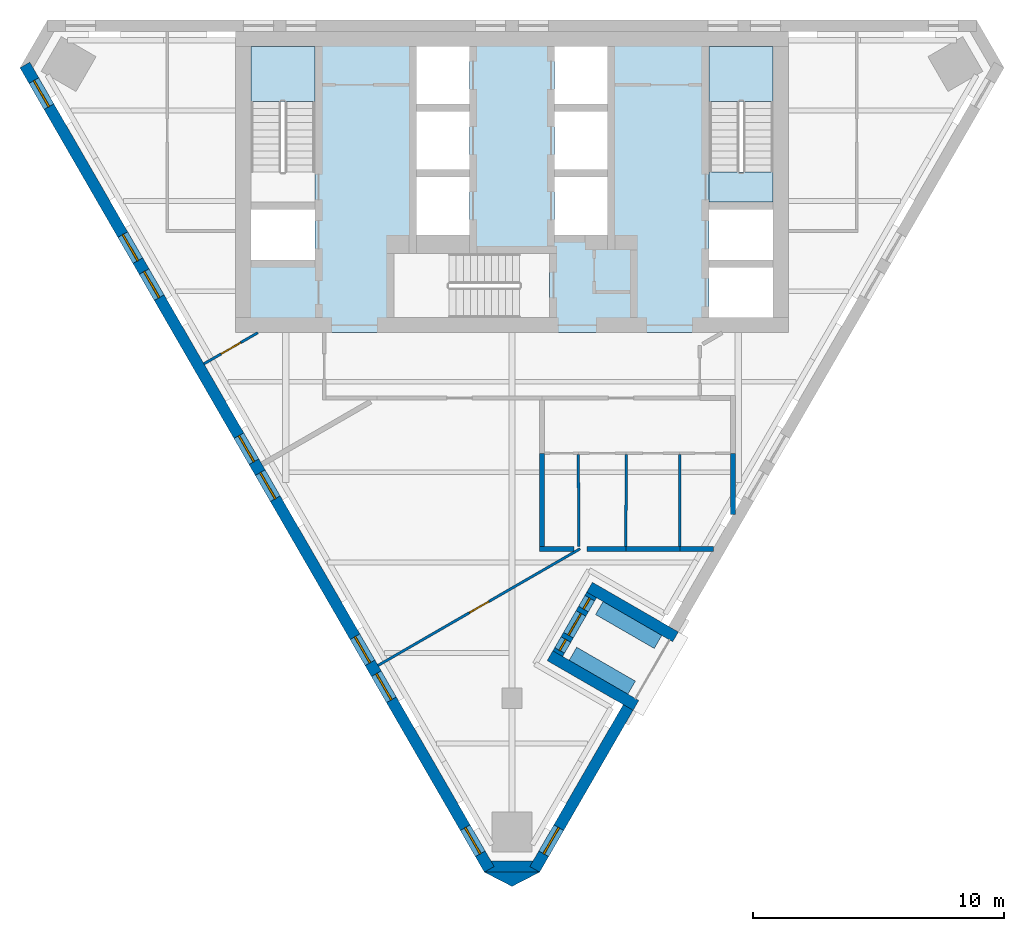
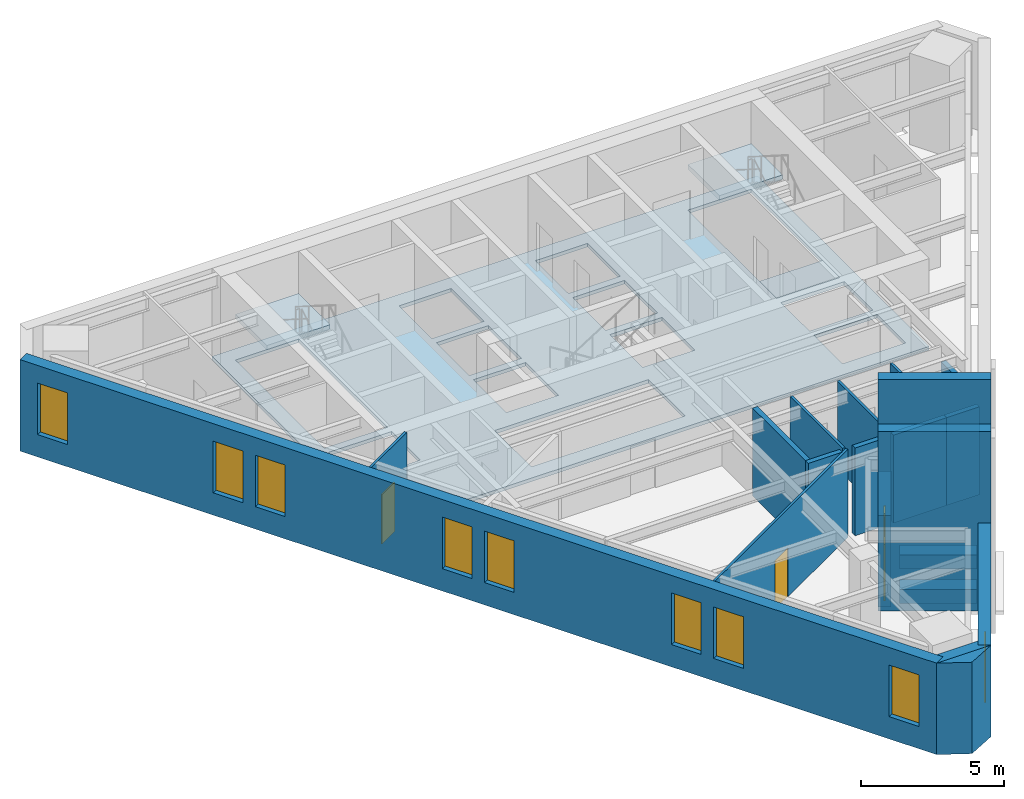
# One storey, part 2 of 6: 20 walls, 11 windows, 4 slabs, 3 doors, 14 openings, 2 elements without a shape of their own.
"""IFC4 building model written with IfcOpenShell, lengths in metres."""

from ifc_helpers import new_model, si_unit, direction, frame, frame_2d, origin, place, context, subcontext, project, spatial, polyline, rectangle, outline, extrude, material, layer, layer_set, type_object, element, fill, aggregate, save


model = new_model("IFC4")

# Units and contexts
model_context = context("Model", 3, precision=1e-05, world=origin(), true_north=direction((0.0, 1.0)))
body_context = subcontext(model_context, "Body", "Model", "MODEL_VIEW")
ifc_project = project(units=[si_unit("LENGTHUNIT", "METRE"), si_unit("AREAUNIT", "SQUARE_METRE"), si_unit("VOLUMEUNIT", "CUBIC_METRE"), si_unit("PLANEANGLEUNIT", "RADIAN"), si_unit("MASSUNIT", "GRAM", prefix="KILO")], contexts=[model_context])

# Site, building, storey
site_placement = place(None, origin())
site = spatial("IfcSite", under=ifc_project, at=site_placement, CompositionType="ELEMENT")
building_placement = place(site_placement, origin())
building = spatial("IfcBuilding", under=site, at=building_placement, Name="Aloe Facet Convention Tower", CompositionType="ELEMENT")
storey_placement = place(building_placement, frame((0.0, 0.0, 273.800048828125)))
storey = spatial("IfcBuildingStorey", under=building, at=storey_placement, Name="L67", CompositionType="ELEMENT", Elevation=273.800048828125)

# Slabs
ifc_material_1 = material(Name="Concrete C50/60", Category="concrete")
ifc_layer_1 = layer(ifc_material_1, 0.14990234375)
ifc_layer_set_1 = layer_set([ifc_layer_1], Name="CR-S-FLOOR150-C5060")
slab_type_1 = type_object("IfcSlabType", Name="CR-S-FLOOR150-C5060", PredefinedType="FLOOR", material=ifc_layer_set_1)
slab_1_placement = place(storey_placement, frame((0.0, 0.0, -0.150146484375)))
element("IfcSlab", 1, at=slab_1_placement, inside=storey, type_object=slab_type_1, Name="Core floor L67", PredefinedType="FLOOR", context=body_context, shape_type="SweptSolid", body=[
    extrude(outline(polyline([(71.85009765625, 134.550048828125), (72.75, 134.550048828125), (75.60009765625, 134.550048828125), (76.5, 134.550048828125), (78.0, 134.550048828125), (78.89990234375, 134.550048828125), (81.10009765625, 134.550048828125), (82.0, 134.550048828125), (83.5, 134.550048828125), (84.39990234375, 134.550048828125), (87.25, 134.550048828125), (88.14990234375, 134.550048828125), (91.0, 134.550048828125), (91.0, 128.050048828125), (91.0, 127.14990234375), (91.0, 125.75), (91.0, 124.85009765625), (91.0, 122.550048828125), (88.14990234375, 122.550048828125), (87.25, 122.550048828125), (85.300048828125, 122.550048828125), (84.39990234375, 122.550048828125), (82.10009765625, 122.550048828125), (81.199951171875, 122.550048828125), (75.60009765625, 122.550048828125), (74.699951171875, 122.550048828125), (72.75, 122.550048828125), (71.85009765625, 122.550048828125), (69.0, 122.550048828125), (69.0, 124.85009765625), (69.0, 125.75), (69.0, 127.14990234375), (69.0, 128.050048828125), (69.0, 134.550048828125), (71.85009765625, 134.550048828125)]), holes=[polyline([(80.298828125, 123.14990234375), (81.5, 123.14990234375), (81.5, 125.699951171875), (80.298828125, 125.699951171875), (75.300048828125, 125.699951171875), (75.300048828125, 123.14990234375), (80.298828125, 123.14990234375)]), polyline([(69.60009765625, 125.449951171875), (72.14990234375, 125.449951171875), (72.14990234375, 127.449951171875), (69.60009765625, 127.449951171875), (69.60009765625, 125.449951171875)]), polyline([(76.199951171875, 126.449951171875), (78.300048828125, 126.449951171875), (78.300048828125, 128.75), (76.199951171875, 128.75), (76.199951171875, 126.449951171875)]), polyline([(78.300048828125, 129.050048828125), (78.300048828125, 131.35009765625), (76.199951171875, 131.35009765625), (76.199951171875, 129.050048828125), (78.300048828125, 129.050048828125)]), polyline([(69.60009765625, 133.949951171875), (69.60009765625, 128.951171875), (69.60009765625, 127.75), (72.14990234375, 127.75), (72.14990234375, 128.951171875), (72.14990234375, 133.949951171875), (69.60009765625, 133.949951171875)]), polyline([(76.199951171875, 131.64990234375), (78.300048828125, 131.64990234375), (78.300048828125, 133.949951171875), (76.199951171875, 133.949951171875), (76.199951171875, 131.64990234375)]), polyline([(90.39990234375, 123.14990234375), (90.39990234375, 125.14990234375), (87.85009765625, 125.14990234375), (87.85009765625, 123.14990234375), (90.39990234375, 123.14990234375)]), polyline([(87.85009765625, 125.449951171875), (90.39990234375, 125.449951171875), (90.39990234375, 127.449951171875), (87.85009765625, 127.449951171875), (87.85009765625, 125.449951171875)]), polyline([(81.699951171875, 126.449951171875), (83.800048828125, 126.449951171875), (83.800048828125, 128.75), (81.699951171875, 128.75), (81.699951171875, 126.449951171875)]), polyline([(83.800048828125, 129.050048828125), (83.800048828125, 131.35009765625), (81.699951171875, 131.35009765625), (81.699951171875, 129.050048828125), (83.800048828125, 129.050048828125)]), polyline([(87.85009765625, 133.949951171875), (87.85009765625, 128.951171875), (87.85009765625, 127.75), (90.39990234375, 127.75), (90.39990234375, 128.951171875), (90.39990234375, 133.949951171875), (87.85009765625, 133.949951171875)]), polyline([(81.699951171875, 131.64990234375), (83.800048828125, 131.64990234375), (83.800048828125, 133.949951171875), (81.699951171875, 133.949951171875), (81.699951171875, 131.64990234375)])]), origin(), (0.0, 0.0, 1.0), 0.150146484375),
])
ifc_material_2 = material(Name="Concrete C50/60", Category="concrete")
ifc_layer_2 = layer(ifc_material_2, 0.300048828125)
ifc_layer_set_2 = layer_set([ifc_layer_2], Name="CR-S-FLOOR300-C5060")
slab_type_2 = type_object("IfcSlabType", Name="CR-S-FLOOR300-C5060", PredefinedType="FLOOR", material=ifc_layer_set_2)
slab_2_placement = place(storey_placement, frame((0.0, 0.0, -0.300048828125)))
element("IfcSlab", 2, at=slab_2_placement, inside=storey, type_object=slab_type_2, Name="Stair landing floor L67", PredefinedType="FLOOR", context=body_context, shape_type="SweptSolid", body=[
    extrude(outline(polyline([(90.39990234375, 127.75), (90.39990234375, 128.951171875), (87.85009765625, 128.951171875), (87.85009765625, 127.75), (90.39990234375, 127.75)])), origin(), (0.0, 0.0, 1.0), 0.300048828125),
])

# Stair, slab
ifc_material_3 = material(Name="Concrete C50/60", Category="concrete")
stair_type = type_object("IfcStairType", Name="CR-ST-22R", PredefinedType="HALF_TURN_STAIR", material=ifc_material_3)
stair_1_placement = place(storey_placement, origin())
stair_1 = element("IfcStair", 3, at=stair_1_placement, inside=storey, type_object=stair_type, Name="L67 Protected exit stair ST1", PredefinedType="HALF_TURN_STAIR")
ifc_material_4 = material(Name="Concrete C50/60", Category="concrete")
ifc_layer_3 = layer(ifc_material_4, 0.199951171875)
ifc_layer_set_3 = layer_set([ifc_layer_3], Name="CR-SL-LANDING")
slab_type_3 = type_object("IfcSlabType", Name="CR-SL-LANDING", PredefinedType="LANDING", material=ifc_layer_set_3)
slab_3_placement = place(storey_placement, frame((0.0, 0.0, 1.75)))
slab_3 = element("IfcSlab", 4, at=slab_3_placement, type_object=slab_type_3, Name="ST1 landing 1", PredefinedType="LANDING", context=body_context, shape_type="SweptSolid", body=[
    extrude(outline(polyline([(72.14990234375, 131.75), (72.14990234375, 133.949951171875), (69.60009765625, 133.949951171875), (69.60009765625, 131.75), (72.14990234375, 131.75)])), origin(), (0.0, 0.0, 1.0), 0.199951171875),
])
aggregate(stair_1, [slab_3])

stair_2_placement = place(storey_placement, origin())
stair_2 = element("IfcStair", 5, at=stair_2_placement, inside=storey, type_object=stair_type, Name="L67 Protected exit stair ST2", PredefinedType="HALF_TURN_STAIR")
slab_4_placement = place(storey_placement, frame((0.0, 0.0, 1.75)))
slab_4 = element("IfcSlab", 6, at=slab_4_placement, type_object=slab_type_3, Name="ST2 landing 1", PredefinedType="LANDING", context=body_context, shape_type="SweptSolid", body=[
    extrude(outline(polyline([(90.39990234375, 131.75), (90.39990234375, 133.949951171875), (87.85009765625, 133.949951171875), (87.85009765625, 131.75), (90.39990234375, 131.75)])), origin(), (0.0, 0.0, 1.0), 0.199951171875),
])
aggregate(stair_2, [slab_4])

# Walls
ifc_material_5 = material(Name="Precast concrete C40/50", Category="concrete")
ifc_layer_4 = layer(ifc_material_5, 0.60009765625)
ifc_layer_set_4 = layer_set([ifc_layer_4], Name="EV-PLANTER")
wall_type_1 = type_object("IfcWallType", Name="EV-PLANTER", PredefinedType="STANDARD", material=ifc_layer_set_4)
for number, where, z_axis, x_axis, name in (
    (7, (84.763427734375, 108.421142578125, 0.0), (0.0, 0.0, 1.0), (-0.86599734893, 0.500048589285, 0.0), "PLANTER T15-1"),
    (8, (85.8134765625, 110.23974609375, 0.0), (0.0, 0.0, 1.0), (-0.86599734893, 0.500048589285, 0.0), "PLANTER T15-2"),
):
    element("IfcWall", number, at=place(storey_placement, frame(where, z_axis=z_axis, x_axis=x_axis)), inside=storey, type_object=wall_type_1, Name=name, PredefinedType="STANDARD", context=body_context, shape_type="SweptSolid", body=[
        extrude(rectangle(XDim=2.699951171875, YDim=0.60009765625, at=frame_2d((1.35009765625, 0.0))), origin(), (0.0, 0.0, 1.0), 0.599853515625),
    ])
ifc_material_6 = material(Name="Precast concrete C40/50", Category="concrete")
ifc_layer_5 = layer(ifc_material_6, 0.449951171875)
ifc_layer_set_5 = layer_set([ifc_layer_5], Name="EV-WALL-PIER")
wall_type_2 = type_object("IfcWallType", Name="EV-WALL-PIER", PredefinedType="SOLIDWALL", material=ifc_layer_set_5)
wall_1_placement = place(storey_placement, frame((0.0, 0.0, -0.150146484375)))
element("IfcWall", 9, at=wall_1_placement, inside=storey, type_object=wall_type_2, Name="EP-L67-B", PredefinedType="SOLIDWALL", context=body_context, shape_type="SweptSolid", body=[
    extrude(outline(polyline([(78.89990234375, 101.07568359375), (79.289794921875, 101.30078125), (79.159912109375, 101.52587890625), (80.840087890625, 101.52587890625), (80.710205078125, 101.30078125), (81.10009765625, 101.07568359375), (78.89990234375, 101.07568359375)])), origin(), (0.0, 0.0, 1.0), 3.900146484375),
])
ifc_material_7 = material(Name="Precast concrete C40/50", Category="concrete")
ifc_layer_6 = layer(ifc_material_7, 3.947998046875)
ifc_layer_set_6 = layer_set([ifc_layer_6], Name="EV-WALL-SPINE")
wall_type_3 = type_object("IfcWallType", Name="EV-WALL-SPINE", PredefinedType="SOLIDWALL", material=ifc_layer_set_6)
wall_2_placement = place(storey_placement, frame((0.0, 0.0, -0.150146484375)))
element("IfcWall", 10, at=wall_2_placement, inside=storey, type_object=wall_type_3, Name="SP-S-L67", PredefinedType="SOLIDWALL", context=body_context, shape_type="SweptSolid", body=[
    extrude(outline(polyline([(78.89990234375, 101.07568359375), (80.0, 100.5078125), (81.10009765625, 101.07568359375), (78.89990234375, 101.07568359375)])), origin(), (0.0, 0.0, 1.0), 3.900146484375),
])

# Wall, openings, windows
ifc_material_8 = material(Name="Precast concrete C40/50", Category="concrete")
ifc_layer_7 = layer(ifc_material_8, 0.449951171875)
ifc_layer_set_7 = layer_set([ifc_layer_7], Name="EV-WALL-STONE")
wall_type_4 = type_object("IfcWallType", Name="EV-WALL-STONE", PredefinedType="SOLIDWALL", material=ifc_layer_set_7)
wall_3_placement = place(storey_placement, frame((60.608642578125, 133.207275390625, -0.150146484375), z_axis=(0.0, 0.0, 1.0), x_axis=(0.500002536638, -0.866023939251, 0.0)))
wall_3 = element("IfcWall", 11, at=wall_3_placement, inside=storey, type_object=wall_type_4, Name="EW-L67-W01", PredefinedType="SOLIDWALL", context=body_context, shape_type="SweptSolid", body=[
    extrude(outline(polyline([(36.972412109375, 0.0), (36.972412109375, 3.900146484375), (0.0, 3.900146484375), (0.0, 0.0), (36.972412109375, 0.0)])), frame((0.0, 0.22509765625, 0.0), z_axis=(0.0, -1.0, 0.0), x_axis=(1.0, 0.0, 0.0)), (0.0, 0.0, 1.0), 0.449951171875),
])
opening_1_placement = place(wall_3_placement, frame((0.714599609375, 0.0, 0.949951171875)))
opening_1 = element("IfcOpeningElement", 12, at=opening_1_placement, cuts=wall_3, Name="Opening W-L67-W01", PredefinedType="OPENING", context=body_context, shape_type="SweptSolid", body=[
    extrude(rectangle(XDim=1.199951171875, YDim=2.199951171875, at=frame_2d((0.60009765625, 1.10009765625))), frame((0.0, 0.23486328125, 0.0), z_axis=(0.0, -1.0, 0.0), x_axis=(1.0, 0.0, 0.0)), (0.0, 0.0, 1.0), 0.469970703125),
])
opening_2_placement = place(wall_3_placement, frame((7.79296875, 0.0, 0.949951171875)))
opening_2 = element("IfcOpeningElement", 13, at=opening_2_placement, cuts=wall_3, Name="Opening W-L67-W02", PredefinedType="OPENING", context=body_context, shape_type="SweptSolid", body=[
    extrude(rectangle(XDim=1.199951171875, YDim=2.199951171875, at=frame_2d((0.60009765625, 1.10009765625))), frame((0.0, 0.23486328125, 0.0), z_axis=(0.0, -1.0, 0.0), x_axis=(1.0, 0.0, 0.0)), (0.0, 0.0, 1.0), 0.469970703125),
])
opening_3_placement = place(wall_3_placement, frame((9.4931640625, 0.0, 0.949951171875)))
opening_3 = element("IfcOpeningElement", 14, at=opening_3_placement, cuts=wall_3, Name="Opening W-L67-W03", PredefinedType="OPENING", context=body_context, shape_type="SweptSolid", body=[
    extrude(rectangle(XDim=1.199951171875, YDim=2.199951171875, at=frame_2d((0.60009765625, 1.10009765625))), frame((0.0, 0.23486328125, 0.0), z_axis=(0.0, -1.0, 0.0), x_axis=(1.0, 0.0, 0.0)), (0.0, 0.0, 1.0), 0.469970703125),
])
opening_4_placement = place(wall_3_placement, frame((17.0361328125, 0.0, 0.949951171875)))
opening_4 = element("IfcOpeningElement", 15, at=opening_4_placement, cuts=wall_3, Name="Opening W-L67-W04", PredefinedType="OPENING", context=body_context, shape_type="SweptSolid", body=[
    extrude(rectangle(XDim=1.199951171875, YDim=2.199951171875, at=frame_2d((0.60009765625, 1.10009765625))), frame((0.0, 0.23486328125, 0.0), z_axis=(0.0, -1.0, 0.0), x_axis=(1.0, 0.0, 0.0)), (0.0, 0.0, 1.0), 0.469970703125),
])
opening_5_placement = place(wall_3_placement, frame((18.736083984375, 0.0, 0.949951171875)))
opening_5 = element("IfcOpeningElement", 16, at=opening_5_placement, cuts=wall_3, Name="Opening W-L67-W05", PredefinedType="OPENING", context=body_context, shape_type="SweptSolid", body=[
    extrude(rectangle(XDim=1.199951171875, YDim=2.199951171875, at=frame_2d((0.60009765625, 1.10009765625))), frame((0.0, 0.23486328125, 0.0), z_axis=(0.0, -1.0, 0.0), x_axis=(1.0, 0.0, 0.0)), (0.0, 0.0, 1.0), 0.469970703125),
])
opening_6_placement = place(wall_3_placement, frame((26.279296875, 0.0, 0.949951171875)))
opening_6 = element("IfcOpeningElement", 17, at=opening_6_placement, cuts=wall_3, Name="Opening W-L67-W06", PredefinedType="OPENING", context=body_context, shape_type="SweptSolid", body=[
    extrude(rectangle(XDim=1.199951171875, YDim=2.199951171875, at=frame_2d((0.60009765625, 1.10009765625))), frame((0.0, 0.23486328125, 0.0), z_axis=(0.0, -1.0, 0.0), x_axis=(1.0, 0.0, 0.0)), (0.0, 0.0, 1.0), 0.469970703125),
])
opening_7_placement = place(wall_3_placement, frame((27.979248046875, 0.0, 0.949951171875)))
opening_7 = element("IfcOpeningElement", 18, at=opening_7_placement, cuts=wall_3, Name="Opening W-L67-W07", PredefinedType="OPENING", context=body_context, shape_type="SweptSolid", body=[
    extrude(rectangle(XDim=1.199951171875, YDim=2.199951171875, at=frame_2d((0.60009765625, 1.10009765625))), frame((0.0, 0.23486328125, 0.0), z_axis=(0.0, -1.0, 0.0), x_axis=(1.0, 0.0, 0.0)), (0.0, 0.0, 1.0), 0.469970703125),
])
opening_8_placement = place(wall_3_placement, frame((35.0576171875, 0.0, 0.949951171875)))
opening_8 = element("IfcOpeningElement", 19, at=opening_8_placement, cuts=wall_3, Name="Opening W-L67-W08", PredefinedType="OPENING", context=body_context, shape_type="SweptSolid", body=[
    extrude(rectangle(XDim=1.199951171875, YDim=2.199951171875, at=frame_2d((0.60009765625, 1.10009765625))), frame((0.0, 0.23486328125, 0.0), z_axis=(0.0, -1.0, 0.0), x_axis=(1.0, 0.0, 0.0)), (0.0, 0.0, 1.0), 0.469970703125),
])
ifc_material_9 = material(Name="Aluminium frame, clear double glazing", Category="aluminium")
window_type_1 = type_object("IfcWindowType", Name="EV-WIN-O12", PartitioningType="SINGLE_PANEL", PredefinedType="WINDOW", material=ifc_material_9)
window_1_placement = place(opening_1_placement, origin())
window_1 = element("IfcWindow", 20, at=window_1_placement, inside=storey, type_object=window_type_1, Name="W-L67-W01", OverallHeight=2.199951171875, OverallWidth=1.199951171875, PartitioningType="SINGLE_PANEL", PredefinedType="WINDOW", context=body_context, shape_type="SweptSolid", body=[
    extrude(rectangle(XDim=1.199951171875, YDim=2.199951171875, at=frame_2d((0.60009765625, 1.10009765625))), frame((0.0, 0.030029296875, 0.0), z_axis=(0.0, -1.0, 0.0), x_axis=(1.0, 0.0, 0.0)), (0.0, 0.0, 1.0), 0.06005859375),
])
fill(opening_1, window_1)
window_2_placement = place(opening_2_placement, origin())
window_2 = element("IfcWindow", 21, at=window_2_placement, inside=storey, type_object=window_type_1, Name="W-L67-W02", OverallHeight=2.199951171875, OverallWidth=1.199951171875, PartitioningType="SINGLE_PANEL", PredefinedType="WINDOW", context=body_context, shape_type="SweptSolid", body=[
    extrude(rectangle(XDim=1.199951171875, YDim=2.199951171875, at=frame_2d((0.60009765625, 1.10009765625))), frame((0.0, 0.030029296875, 0.0), z_axis=(0.0, -1.0, 0.0), x_axis=(1.0, 0.0, 0.0)), (0.0, 0.0, 1.0), 0.06005859375),
])
fill(opening_2, window_2)
window_3_placement = place(opening_3_placement, origin())
window_3 = element("IfcWindow", 22, at=window_3_placement, inside=storey, type_object=window_type_1, Name="W-L67-W03", OverallHeight=2.199951171875, OverallWidth=1.199951171875, PartitioningType="SINGLE_PANEL", PredefinedType="WINDOW", context=body_context, shape_type="SweptSolid", body=[
    extrude(rectangle(XDim=1.199951171875, YDim=2.199951171875, at=frame_2d((0.60009765625, 1.10009765625))), frame((0.0, 0.030029296875, 0.0), z_axis=(0.0, -1.0, 0.0), x_axis=(1.0, 0.0, 0.0)), (0.0, 0.0, 1.0), 0.06005859375),
])
fill(opening_3, window_3)
window_4_placement = place(opening_4_placement, origin())
window_4 = element("IfcWindow", 23, at=window_4_placement, inside=storey, type_object=window_type_1, Name="W-L67-W04", OverallHeight=2.199951171875, OverallWidth=1.199951171875, PartitioningType="SINGLE_PANEL", PredefinedType="WINDOW", context=body_context, shape_type="SweptSolid", body=[
    extrude(rectangle(XDim=1.199951171875, YDim=2.199951171875, at=frame_2d((0.60009765625, 1.10009765625))), frame((0.0, 0.030029296875, 0.0), z_axis=(0.0, -1.0, 0.0), x_axis=(1.0, 0.0, 0.0)), (0.0, 0.0, 1.0), 0.06005859375),
])
fill(opening_4, window_4)
window_5_placement = place(opening_5_placement, origin())
window_5 = element("IfcWindow", 24, at=window_5_placement, inside=storey, type_object=window_type_1, Name="W-L67-W05", OverallHeight=2.199951171875, OverallWidth=1.199951171875, PartitioningType="SINGLE_PANEL", PredefinedType="WINDOW", context=body_context, shape_type="SweptSolid", body=[
    extrude(rectangle(XDim=1.199951171875, YDim=2.199951171875, at=frame_2d((0.60009765625, 1.10009765625))), frame((0.0, 0.030029296875, 0.0), z_axis=(0.0, -1.0, 0.0), x_axis=(1.0, 0.0, 0.0)), (0.0, 0.0, 1.0), 0.06005859375),
])
fill(opening_5, window_5)
window_6_placement = place(opening_6_placement, origin())
window_6 = element("IfcWindow", 25, at=window_6_placement, inside=storey, type_object=window_type_1, Name="W-L67-W06", OverallHeight=2.199951171875, OverallWidth=1.199951171875, PartitioningType="SINGLE_PANEL", PredefinedType="WINDOW", context=body_context, shape_type="SweptSolid", body=[
    extrude(rectangle(XDim=1.199951171875, YDim=2.199951171875, at=frame_2d((0.60009765625, 1.10009765625))), frame((0.0, 0.030029296875, 0.0), z_axis=(0.0, -1.0, 0.0), x_axis=(1.0, 0.0, 0.0)), (0.0, 0.0, 1.0), 0.06005859375),
])
fill(opening_6, window_6)
window_7_placement = place(opening_7_placement, origin())
window_7 = element("IfcWindow", 26, at=window_7_placement, inside=storey, type_object=window_type_1, Name="W-L67-W07", OverallHeight=2.199951171875, OverallWidth=1.199951171875, PartitioningType="SINGLE_PANEL", PredefinedType="WINDOW", context=body_context, shape_type="SweptSolid", body=[
    extrude(rectangle(XDim=1.199951171875, YDim=2.199951171875, at=frame_2d((0.60009765625, 1.10009765625))), frame((0.0, 0.030029296875, 0.0), z_axis=(0.0, -1.0, 0.0), x_axis=(1.0, 0.0, 0.0)), (0.0, 0.0, 1.0), 0.06005859375),
])
fill(opening_7, window_7)
window_8_placement = place(opening_8_placement, origin())
window_8 = element("IfcWindow", 27, at=window_8_placement, inside=storey, type_object=window_type_1, Name="W-L67-W08", OverallHeight=2.199951171875, OverallWidth=1.199951171875, PartitioningType="SINGLE_PANEL", PredefinedType="WINDOW", context=body_context, shape_type="SweptSolid", body=[
    extrude(rectangle(XDim=1.199951171875, YDim=2.199951171875, at=frame_2d((0.60009765625, 1.10009765625))), frame((0.0, 0.030029296875, 0.0), z_axis=(0.0, -1.0, 0.0), x_axis=(1.0, 0.0, 0.0)), (0.0, 0.0, 1.0), 0.06005859375),
])
fill(opening_8, window_8)

# Wall, opening, window
wall_4_placement = place(storey_placement, frame((80.905029296875, 101.188232421875, -0.150146484375), z_axis=(0.0, 0.0, 1.0), x_axis=(0.500005432742, 0.866022267167, 0.0)))
wall_4 = element("IfcWall", 28, at=wall_4_placement, inside=storey, type_object=wall_type_4, Name="EW-L67-E01", PredefinedType="SOLIDWALL", context=body_context, shape_type="SweptSolid", body=[
    extrude(outline(polyline([(0.0, 0.0), (0.0, 3.900146484375), (7.443115234375, 3.900146484375), (7.443115234375, 0.0), (0.0, 0.0)])), frame((0.0, 0.22509765625, 0.0), z_axis=(0.0, -1.0, 0.0), x_axis=(1.0, 0.0, 0.0)), (0.0, 0.0, 1.0), 0.449951171875),
])
opening_9_placement = place(wall_4_placement, frame((0.714599609375, 0.0, 0.949951171875)))
opening_9 = element("IfcOpeningElement", 29, at=opening_9_placement, cuts=wall_4, Name="Opening W-L67-E01", PredefinedType="OPENING", context=body_context, shape_type="SweptSolid", body=[
    extrude(rectangle(XDim=1.199951171875, YDim=2.199951171875, at=frame_2d((0.60009765625, 1.10009765625))), frame((0.0, 0.23486328125, 0.0), z_axis=(0.0, -1.0, 0.0), x_axis=(1.0, 0.0, 0.0)), (0.0, 0.0, 1.0), 0.469970703125),
])
window_9_placement = place(opening_9_placement, origin())
window_9 = element("IfcWindow", 30, at=window_9_placement, inside=storey, type_object=window_type_1, Name="W-L67-E01", OverallHeight=2.199951171875, OverallWidth=1.199951171875, PartitioningType="SINGLE_PANEL", PredefinedType="WINDOW", context=body_context, shape_type="SweptSolid", body=[
    extrude(rectangle(XDim=1.199951171875, YDim=2.199951171875, at=frame_2d((0.60009765625, 1.10009765625))), frame((0.0, 0.030029296875, 0.0), z_axis=(0.0, -1.0, 0.0), x_axis=(1.0, 0.0, 0.0)), (0.0, 0.0, 1.0), 0.06005859375),
])
fill(opening_9, window_9)

# Walls
wall_5_placement = place(storey_placement, frame((84.93408203125, 107.716552734375, 0.0), z_axis=(0.0, 0.0, 1.0), x_axis=(-0.866020906874, 0.500007788796, 0.0)))
element("IfcWall", 31, at=wall_5_placement, inside=storey, type_object=wall_type_4, Name="TW-T15-1", PredefinedType="SOLIDWALL", context=body_context, shape_type="SweptSolid", body=[
    extrude(rectangle(XDim=3.9501953125, YDim=0.449951171875, at=frame_2d((1.97509765625, 0.0))), origin(), (0.0, 0.0, 1.0), 7.64990234375),
])
wall_6_placement = place(storey_placement, frame((86.509033203125, 110.444580078125, 0.0), z_axis=(0.0, 0.0, 1.0), x_axis=(-0.866047669374, 0.499961432884, 0.0)))
element("IfcWall", 32, at=wall_6_placement, inside=storey, type_object=wall_type_4, Name="TW-T15-2", PredefinedType="SOLIDWALL", context=body_context, shape_type="SweptSolid", body=[
    extrude(rectangle(XDim=3.949951171875, YDim=0.449951171875, at=frame_2d((1.97509765625, 0.0))), origin(), (0.0, 0.0, 1.0), 7.64990234375),
])

# Wall, openings, door, windows
wall_7_placement = place(storey_placement, frame((81.820556640625, 109.77392578125, -0.150146484375), z_axis=(0.0, 0.0, 1.0), x_axis=(0.500048589285, 0.86599734893, 0.0)))
wall_7 = element("IfcWall", 33, at=wall_7_placement, inside=storey, type_object=wall_type_4, Name="TB-T15-L67", PredefinedType="SOLIDWALL", context=body_context, shape_type="SweptSolid", body=[
    extrude(rectangle(XDim=2.699951171875, YDim=0.449951171875, at=frame_2d((1.35009765625, 0.0))), origin(), (0.0, 0.0, 1.0), 3.900146484375),
])
opening_10_placement = place(wall_7_placement, frame((0.85009765625, 0.0, 0.14990234375)))
opening_10 = element("IfcOpeningElement", 34, at=opening_10_placement, cuts=wall_7, Name="Opening D-T15", PredefinedType="OPENING", context=body_context, shape_type="SweptSolid", body=[
    extrude(rectangle(XDim=1.0, YDim=2.39990234375, at=frame_2d((0.5, 1.199951171875))), frame((0.0, 0.23486328125, 0.0), z_axis=(0.0, -1.0, 0.0), x_axis=(1.0, 0.0, 0.0)), (0.0, 0.0, 1.0), 0.469970703125),
])
opening_11_placement = place(wall_7_placement, frame((0.14990234375, 0.0, 0.14990234375)))
opening_11 = element("IfcOpeningElement", 35, at=opening_11_placement, cuts=wall_7, Name="Opening G-T15-1", PredefinedType="OPENING", context=body_context, shape_type="SweptSolid", body=[
    extrude(rectangle(XDim=0.5, YDim=2.39990234375, at=frame_2d((0.25, 1.199951171875))), frame((0.0, 0.23486328125, 0.0), z_axis=(0.0, -1.0, 0.0), x_axis=(1.0, 0.0, 0.0)), (0.0, 0.0, 1.0), 0.469970703125),
])
opening_12_placement = place(wall_7_placement, frame((2.050048828125, 0.0, 0.14990234375)))
opening_12 = element("IfcOpeningElement", 36, at=opening_12_placement, cuts=wall_7, Name="Opening G-T15-2", PredefinedType="OPENING", context=body_context, shape_type="SweptSolid", body=[
    extrude(rectangle(XDim=0.5, YDim=2.39990234375, at=frame_2d((0.25, 1.199951171875))), frame((0.0, 0.23486328125, 0.0), z_axis=(0.0, -1.0, 0.0), x_axis=(1.0, 0.0, 0.0)), (0.0, 0.0, 1.0), 0.469970703125),
])
ifc_material_10 = material(Name="Aluminium frame, clear double glazing", Category="aluminium")
door_type_1 = type_object("IfcDoorType", Name="EV-DOOR-TERR", OperationType="SINGLE_SWING_LEFT", PredefinedType="DOOR", material=ifc_material_10)
door_1_placement = place(opening_10_placement, origin())
door_1 = element("IfcDoor", 37, at=door_1_placement, inside=storey, type_object=door_type_1, Name="D-T15", OperationType="SINGLE_SWING_LEFT", OverallHeight=2.39990234375, OverallWidth=1.0, PredefinedType="DOOR", context=body_context, shape_type="SweptSolid", body=[
    extrude(rectangle(XDim=1.0, YDim=2.39990234375, at=frame_2d((0.5, 1.199951171875))), frame((0.0, 0.02490234375, 0.0), z_axis=(0.0, -1.0, 0.0), x_axis=(1.0, 0.0, 0.0)), (0.0, 0.0, 1.0), 0.050048828125),
])
fill(opening_10, door_1)
ifc_material_11 = material(Name="Aluminium frame, clear double glazing", Category="aluminium")
window_type_2 = type_object("IfcWindowType", Name="EV-WIN-SL50", PartitioningType="SINGLE_PANEL", PredefinedType="WINDOW", material=ifc_material_11)
window_10_placement = place(opening_11_placement, origin())
window_10 = element("IfcWindow", 38, at=window_10_placement, inside=storey, type_object=window_type_2, Name="G-T15-1", OverallHeight=2.39990234375, OverallWidth=0.5, PartitioningType="SINGLE_PANEL", PredefinedType="WINDOW", context=body_context, shape_type="SweptSolid", body=[
    extrude(rectangle(XDim=0.5, YDim=2.39990234375, at=frame_2d((0.25, 1.199951171875))), frame((0.0, 0.030029296875, 0.0), z_axis=(0.0, -1.0, 0.0), x_axis=(1.0, 0.0, 0.0)), (0.0, 0.0, 1.0), 0.06005859375),
])
fill(opening_11, window_10)
window_11_placement = place(opening_12_placement, origin())
window_11 = element("IfcWindow", 39, at=window_11_placement, inside=storey, type_object=window_type_2, Name="G-T15-2", OverallHeight=2.39990234375, OverallWidth=0.5, PartitioningType="SINGLE_PANEL", PredefinedType="WINDOW", context=body_context, shape_type="SweptSolid", body=[
    extrude(rectangle(XDim=0.5, YDim=2.39990234375, at=frame_2d((0.25, 1.199951171875))), frame((0.0, 0.030029296875, 0.0), z_axis=(0.0, -1.0, 0.0), x_axis=(1.0, 0.0, 0.0)), (0.0, 0.0, 1.0), 0.06005859375),
])
fill(opening_12, window_11)

# Wall, opening, door
ifc_material_12 = material(Name="Gypsum board partition on steel studs", Category="steel")
ifc_layer_8 = layer(ifc_material_12, 0.10009765625)
ifc_layer_set_8 = layer_set([ifc_layer_8], Name="IN-W-PART")
wall_type_5 = type_object("IfcWallType", Name="IN-W-PART", PredefinedType="PARTITIONING", material=ifc_layer_set_8)
wall_8_placement = place(storey_placement, frame((74.668212890625, 109.305419921875, 0.0), z_axis=(0.0, 0.0, 1.0), x_axis=(0.866021891294, 0.500006083763, 0.0)))
wall_8 = element("IfcWall", 40, at=wall_8_placement, inside=storey, type_object=wall_type_5, Name="Partition L67-W001", PredefinedType="PARTITIONING", context=body_context, shape_type="SweptSolid", body=[
    extrude(rectangle(XDim=9.2890625, YDim=0.10009765625, at=frame_2d((4.64453125, 0.0))), origin(), (0.0, 0.0, 1.0), 3.75),
])
opening_13_placement = place(wall_8_placement, frame((4.194580078125, 0.0, 0.0)))
opening_13 = element("IfcOpeningElement", 41, at=opening_13_placement, cuts=wall_8, Name="Opening L67-012", PredefinedType="OPENING", context=body_context, shape_type="SweptSolid", body=[
    extrude(rectangle(XDim=0.89990234375, YDim=2.10009765625, at=frame_2d((0.449951171875, 1.050048828125))), frame((0.0, 0.06005859375, 0.0), z_axis=(0.0, -1.0, 0.0), x_axis=(1.0, 0.0, 0.0)), (0.0, 0.0, 1.0), 0.1201171875),
])
ifc_material_13 = material(Name="Timber door", Category="wood")
door_type_2 = type_object("IfcDoorType", Name="IN-OFF-D-ROOM", OperationType="SINGLE_SWING_LEFT", PredefinedType="DOOR", material=ifc_material_13)
door_2_placement = place(opening_13_placement, origin())
door_2 = element("IfcDoor", 42, at=door_2_placement, inside=storey, type_object=door_type_2, Name="Door L67-012", OperationType="SINGLE_SWING_LEFT", OverallHeight=2.10009765625, OverallWidth=0.89990234375, PredefinedType="DOOR", context=body_context, shape_type="SweptSolid", body=[
    extrude(rectangle(XDim=0.89990234375, YDim=2.10009765625, at=frame_2d((0.449951171875, 1.050048828125))), frame((0.0, 0.02490234375, 0.0), z_axis=(0.0, -1.0, 0.0), x_axis=(1.0, 0.0, 0.0)), (0.0, 0.0, 1.0), 0.050048828125),
])
fill(opening_13, door_2)

# Walls
for number, where, z_axis, x_axis, name in (
    (43, (82.65380859375, 114.050048828125, 0.0), (0.0, 0.0, 1.0), (-0.002675575707, 0.999996420641, 0.0), "Partition L67-W009"),
    (44, (84.5341796875, 114.050048828125, 0.0), (0.0, 0.0, 1.0), (0.002675575707, 0.999996420641, 0.0), "Partition L67-W011"),
    (45, (86.681640625, 114.050048828125, 0.0), (0.0, 0.0, 1.0), (-0.002608686776, 0.999996597371, 0.0), "Partition L67-W013"),
):
    element("IfcWall", number, at=place(storey_placement, frame(where, z_axis=z_axis, x_axis=x_axis)), inside=storey, type_object=wall_type_5, Name=name, PredefinedType="PARTITIONING", context=body_context, shape_type="SweptSolid", body=[
        extrude(rectangle(XDim=3.64990234375, YDim=0.10009765625, at=frame_2d((1.824951171875, 0.0))), origin(), (0.0, 0.0, 1.0), 3.75),
    ])

# Wall, opening, door
wall_9_placement = place(storey_placement, frame((67.73583984375, 121.312744140625, 0.0), z_axis=(0.0, 0.0, 1.0), x_axis=(0.86604923931, 0.499958713387, 0.0)))
wall_9 = element("IfcWall", 46, at=wall_9_placement, inside=storey, type_object=wall_type_5, Name="Partition L67-W026", PredefinedType="PARTITIONING", context=body_context, shape_type="SweptSolid", body=[
    extrude(rectangle(XDim=2.474853515625, YDim=0.10009765625, at=frame_2d((1.2373046875, 0.0))), origin(), (0.0, 0.0, 1.0), 3.75),
])
opening_14_placement = place(wall_9_placement, frame((0.787353515625, 0.0, 0.0)))
opening_14 = element("IfcOpeningElement", 47, at=opening_14_placement, cuts=wall_9, Name="Opening L67-010", PredefinedType="OPENING", context=body_context, shape_type="SweptSolid", body=[
    extrude(rectangle(XDim=0.89990234375, YDim=2.10009765625, at=frame_2d((0.449951171875, 1.050048828125))), frame((0.0, 0.06005859375, 0.0), z_axis=(0.0, -1.0, 0.0), x_axis=(1.0, 0.0, 0.0)), (0.0, 0.0, 1.0), 0.1201171875),
])
door_3_placement = place(opening_14_placement, origin())
door_3 = element("IfcDoor", 48, at=door_3_placement, inside=storey, type_object=door_type_2, Name="Door L67-010", OperationType="SINGLE_SWING_LEFT", OverallHeight=2.10009765625, OverallWidth=0.89990234375, PredefinedType="DOOR", context=body_context, shape_type="SweptSolid", body=[
    extrude(rectangle(XDim=0.89990234375, YDim=2.10009765625, at=frame_2d((0.449951171875, 1.050048828125))), frame((0.0, 0.02490234375, 0.0), z_axis=(0.0, -1.0, 0.0), x_axis=(1.0, 0.0, 0.0)), (0.0, 0.0, 1.0), 0.050048828125),
])
fill(opening_14, door_3)

# Walls
ifc_material_14 = material(Name="Gypsum board partition on steel studs", Category="steel")
ifc_layer_9 = layer(ifc_material_14, 0.199951171875)
ifc_layer_set_9 = layer_set([ifc_layer_9], Name="IN-W-PARTY")
wall_type_6 = type_object("IfcWallType", Name="IN-W-PARTY", PredefinedType="PARTITIONING", material=ifc_layer_set_9)
wall_10_placement = place(storey_placement, frame((81.10205078125, 113.949951171875, 0.0), z_axis=(0.0, 0.0, 1.0), x_axis=(1.0, 0.0, 0.0)))
element("IfcWall", 49, at=wall_10_placement, inside=storey, type_object=wall_type_6, Name="Partition L67-W002", PredefinedType="PARTITIONING", context=body_context, shape_type="SweptSolid", body=[
    extrude(rectangle(XDim=1.3720703125, YDim=0.199951171875, at=frame_2d((0.68603515625, 0.0))), origin(), (0.0, 0.0, 1.0), 3.75),
])
wall_11_placement = place(storey_placement, frame((82.98583984375, 113.949951171875, 0.0), z_axis=(0.0, 0.0, 1.0), x_axis=(1.0, 0.0, 0.0)))
element("IfcWall", 50, at=wall_11_placement, inside=storey, type_object=wall_type_6, Name="Partition L67-W004", PredefinedType="PARTITIONING", context=body_context, shape_type="SweptSolid", body=[
    extrude(rectangle(XDim=1.548095703125, YDim=0.199951171875, at=frame_2d((0.77392578125, 0.0))), origin(), (0.0, 0.0, 1.0), 3.75),
])
wall_12_placement = place(storey_placement, frame((84.533935546875, 113.949951171875, 0.0), z_axis=(0.0, 0.0, 1.0), x_axis=(1.0, 0.0, 0.0)))
element("IfcWall", 51, at=wall_12_placement, inside=storey, type_object=wall_type_6, Name="Partition L67-W005", PredefinedType="PARTITIONING", context=body_context, shape_type="SweptSolid", body=[
    extrude(rectangle(XDim=2.14794921875, YDim=0.199951171875, at=frame_2d((1.073974609375, 0.0))), origin(), (0.0, 0.0, 1.0), 3.75),
])
wall_13_placement = place(storey_placement, frame((86.681884765625, 113.949951171875, 0.0), z_axis=(0.0, 0.0, 1.0), x_axis=(1.0, 0.0, 0.0)))
element("IfcWall", 52, at=wall_13_placement, inside=storey, type_object=wall_type_6, Name="Partition L67-W006", PredefinedType="PARTITIONING", context=body_context, shape_type="SweptSolid", body=[
    extrude(rectangle(XDim=1.33154296875, YDim=0.199951171875, at=frame_2d((0.665771484375, 0.0))), origin(), (0.0, 0.0, 1.0), 3.75),
])
wall_14_placement = place(storey_placement, frame((88.802978515625, 115.31787109375, 0.0), z_axis=(0.0, 0.0, 1.0), x_axis=(0.0, 1.0, 0.0)))
element("IfcWall", 53, at=wall_14_placement, inside=storey, type_object=wall_type_6, Name="Partition L67-W007", PredefinedType="PARTITIONING", context=body_context, shape_type="SweptSolid", body=[
    extrude(rectangle(XDim=2.43212890625, YDim=0.199951171875, at=frame_2d((1.216064453125, 0.0))), origin(), (0.0, 0.0, 1.0), 3.06201171875),
])
wall_15_placement = place(storey_placement, frame((81.199951171875, 117.75, 0.0), z_axis=(0.0, 0.0, 1.0), x_axis=(0.000527878514, -0.999999860672, 0.0)))
element("IfcWall", 54, at=wall_15_placement, inside=storey, type_object=wall_type_6, Name="Partition L67-W017", PredefinedType="PARTITIONING", context=body_context, shape_type="SweptSolid", body=[
    extrude(rectangle(XDim=3.699951171875, YDim=0.199951171875, at=frame_2d((1.85009765625, 0.0))), origin(), (0.0, 0.0, 1.0), 3.75),
])

save(model, "model.ifc")
